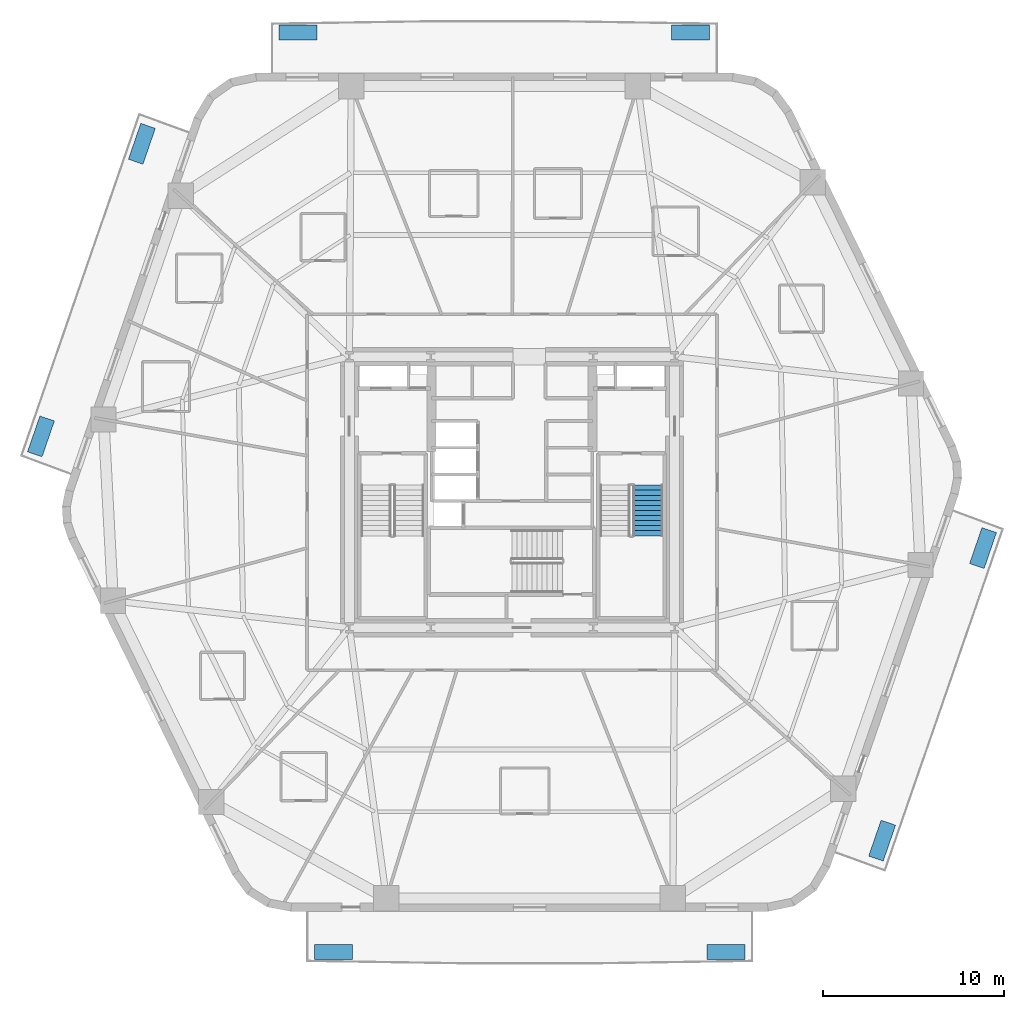
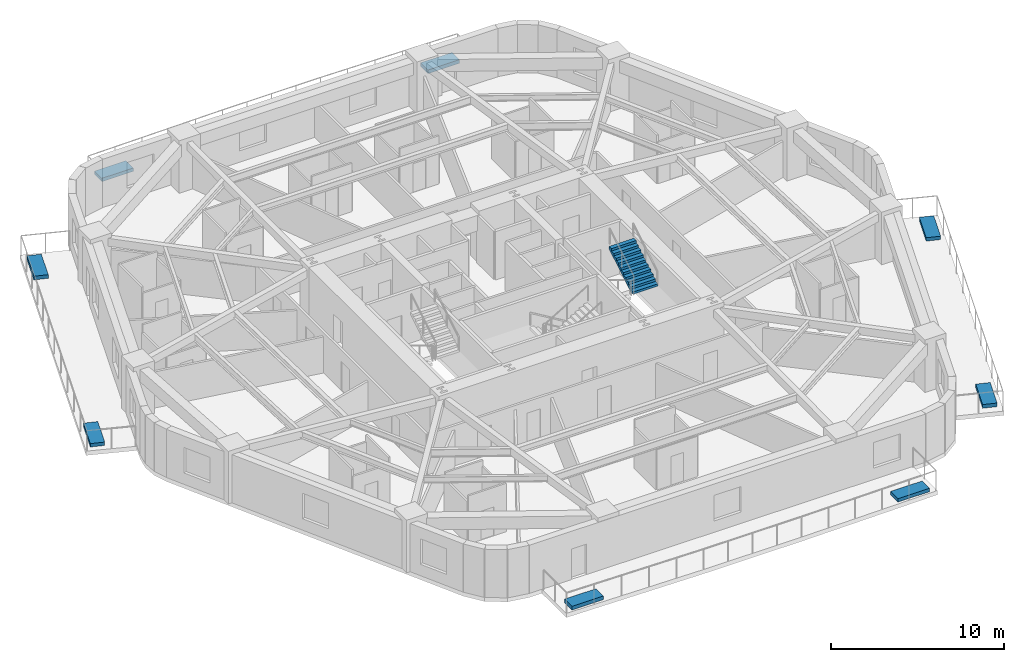
# One storey, part 7 of 10: 8 discrete accessories, 1 stair flight, 1 element without a shape of its own.
"""IFC4 building model written with IfcOpenShell, lengths in metres."""

from ifc_helpers import new_model, si_unit, direction, frame, origin, origin_2d, place, context, subcontext, project, spatial, polyline, rectangle, outline, extrude, material, type_object, element, aggregate, save


model = new_model("IFC4")

# Units and contexts
model_context = context("Model", 3, precision=1e-05, world=origin(), true_north=direction((0.0, 1.0)))
body_context = subcontext(model_context, "Body", "Model", "MODEL_VIEW")
ifc_project = project(units=[si_unit("LENGTHUNIT", "METRE"), si_unit("AREAUNIT", "SQUARE_METRE"), si_unit("VOLUMEUNIT", "CUBIC_METRE"), si_unit("PLANEANGLEUNIT", "RADIAN"), si_unit("MASSUNIT", "GRAM", prefix="KILO")], contexts=[model_context])

# Site, building, storey
site_placement = place(None, origin())
site = spatial("IfcSite", under=ifc_project, at=site_placement, CompositionType="ELEMENT")
building_placement = place(site_placement, origin())
building = spatial("IfcBuilding", under=site, at=building_placement, Name="Kilnhurst Terrace Hotel", CompositionType="ELEMENT")
storey_placement = place(building_placement, frame((0.0, 0.0, 67.5)))
storey = spatial("IfcBuildingStorey", under=building, at=storey_placement, Name="L15", CompositionType="ELEMENT", Elevation=67.5)

# Stair, stair flight
ifc_material_1 = material(Name="Concrete C50/60", Category="concrete")
stair_type = type_object("IfcStairType", Name="STR-CORE-1660", PredefinedType="HALF_TURN_STAIR", material=ifc_material_1)
stair_placement = place(storey_placement, origin())
stair = element("IfcStair", 1, at=stair_placement, inside=storey, type_object=stair_type, Name="L15 ST-2", PredefinedType="HALF_TURN_STAIR")
stair_flight_type = type_object("IfcStairFlightType", Name="FLT-RC-1660", PredefinedType="STRAIGHT", material=ifc_material_1)
stair_flight_placement = place(storey_placement, frame((7.52001953125, -2.409912109375, 1.85009765625), z_axis=(0.0, 0.0, 1.0), x_axis=(0.0, 1.0, 0.0)))
stair_flight = element("IfcStairFlight", 2, at=stair_flight_placement, type_object=stair_flight_type, Name="ST-2 flight 2", NumberOfRisers=11, NumberOfTreads=10, PredefinedType="STRAIGHT", RiserHeight=0.168181818, TreadLength=0.28, context=body_context, shape_type="SweptSolid", body=[
    extrude(outline(polyline([(0.0, 0.0), (0.0, 0.168212890625), (0.280029296875, 0.168212890625), (0.280029296875, 0.33642578125), (0.56005859375, 0.33642578125), (0.56005859375, 0.504638671875), (0.840087890625, 0.504638671875), (0.840087890625, 0.672607421875), (1.1201171875, 0.672607421875), (1.1201171875, 0.8408203125), (1.39990234375, 0.8408203125), (1.39990234375, 1.009033203125), (1.679931640625, 1.009033203125), (1.679931640625, 1.17724609375), (1.9599609375, 1.17724609375), (1.9599609375, 1.345458984375), (2.239990234375, 1.345458984375), (2.239990234375, 1.513671875), (2.52001953125, 1.513671875), (2.52001953125, 1.681884765625), (2.800048828125, 1.681884765625), (2.800048828125, 1.85009765625), (2.800048828125, 1.5068359375), (0.291015625, 0.0), (0.0, 0.0)])), frame((0.0, 0.830078125, 0.0), z_axis=(0.0, -1.0, 0.0), x_axis=(1.0, 0.0, 0.0)), (0.0, 0.0, 1.0), 1.659912109375),
])
aggregate(stair, [stair_flight])

# Discrete accessories
ifc_material_2 = material(Name="Precast Concrete C40/50 Shrub Planter", Category="concrete")
discrete_accessory_type_1 = type_object("IfcDiscreteAccessoryType", Name="PLN-SHRUB-240", PredefinedType="USERDEFINED", material=ifc_material_2)
for number, where, z_axis, x_axis, name in (
    (3, (11.841552734375, -25.449951171875, 0.0), (0.0, 0.0, 1.0), (1.0, 0.0, 0.0), "L15 Structural Tree Planter Box PLANTER BAL-L1A.2"),
    (4, (26.073486328125, -3.09130859375, 0.0), (0.0, 0.0, 1.0), (0.326063182175, 0.94534797891, 0.0), "L15 Structural Tree Planter Box PLANTER BAL-L1B.2"),
    (5, (-11.841552734375, 25.449951171875, 0.0), (0.0, 0.0, 1.0), (-1.0, 0.0, 0.0), "L15 Structural Tree Planter Box PLANTER BAL-L2A.2"),
    (6, (-26.073486328125, 3.09130859375, 0.0), (0.0, 0.0, 1.0), (-0.326063182175, -0.94534797891, 0.0), "L15 Structural Tree Planter Box PLANTER BAL-L2B.2"),
):
    element("IfcDiscreteAccessory", number, at=place(storey_placement, frame(where, z_axis=z_axis, x_axis=x_axis)), inside=storey, type_object=discrete_accessory_type_1, Name=name, ObjectType="PLANTER", PredefinedType="USERDEFINED", context=body_context, shape_type="SweptSolid", body=[
        extrude(rectangle(XDim=2.10009765625, YDim=0.85009765625, at=origin_2d()), origin(), (0.0, 0.0, 1.0), 0.239990234375),
    ])
ifc_material_3 = material(Name="Precast Concrete C40/50 Tree Planter", Category="concrete")
discrete_accessory_type_2 = type_object("IfcDiscreteAccessoryType", Name="PLN-TREE-260", PredefinedType="USERDEFINED", material=ifc_material_3)
for number, where, z_axis, x_axis, name in (
    (7, (-9.89208984375, -25.449951171875, 0.0), (0.0, 0.0, 1.0), (1.0, 0.0, 0.0), "L15 Structural Tree Planter Box PLANTER BAL-L1A.1"),
    (8, (20.488037109375, -19.285888671875, 0.0), (0.0, 0.0, 1.0), (0.326063182175, 0.94534797891, 0.0), "L15 Structural Tree Planter Box PLANTER BAL-L1B.1"),
    (9, (9.89208984375, 25.449951171875, 0.0), (0.0, 0.0, 1.0), (-1.0, 0.0, 0.0), "L15 Structural Tree Planter Box PLANTER BAL-L2A.1"),
    (10, (-20.488037109375, 19.285888671875, 0.0), (0.0, 0.0, 1.0), (-0.326063182175, -0.94534797891, 0.0), "L15 Structural Tree Planter Box PLANTER BAL-L2B.1"),
):
    element("IfcDiscreteAccessory", number, at=place(storey_placement, frame(where, z_axis=z_axis, x_axis=x_axis)), inside=storey, type_object=discrete_accessory_type_2, Name=name, ObjectType="PLANTER", PredefinedType="USERDEFINED", context=body_context, shape_type="SweptSolid", body=[
        extrude(rectangle(XDim=2.10009765625, YDim=0.85009765625, at=origin_2d()), origin(), (0.0, 0.0, 1.0), 0.260009765625),
    ])

save(model, "model.ifc")
